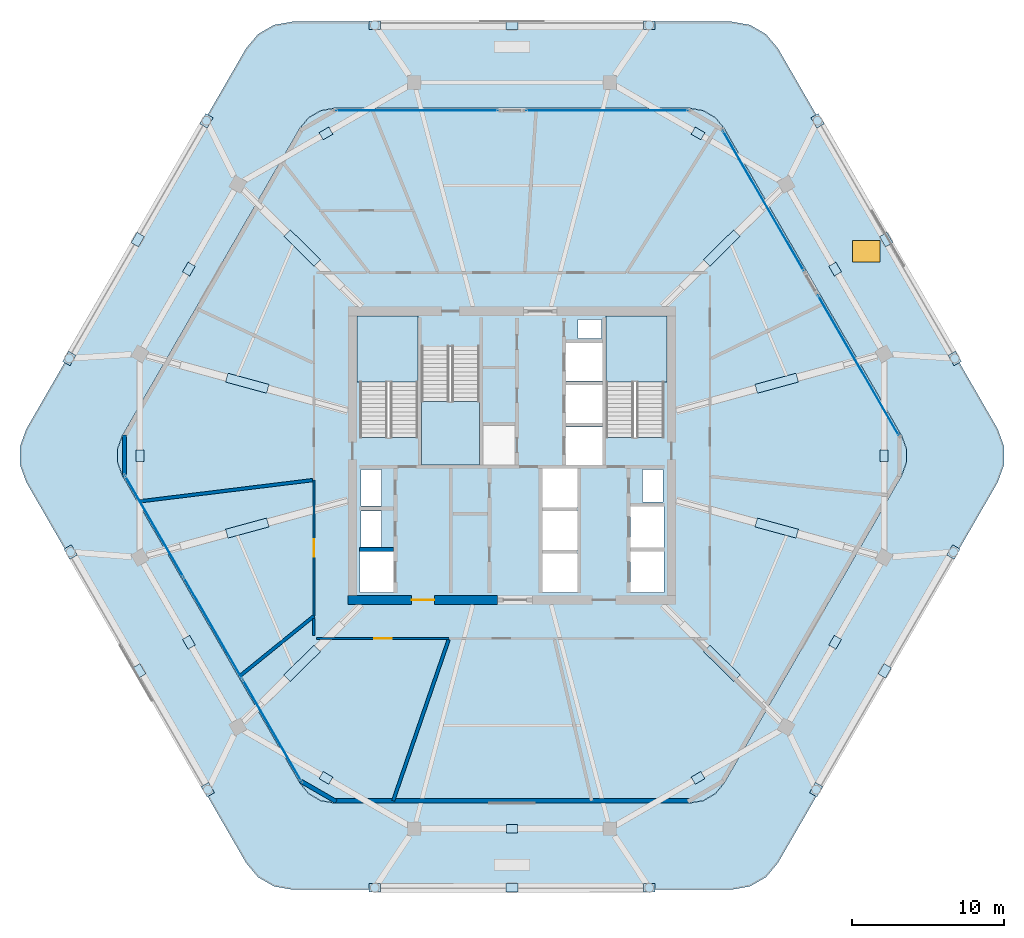
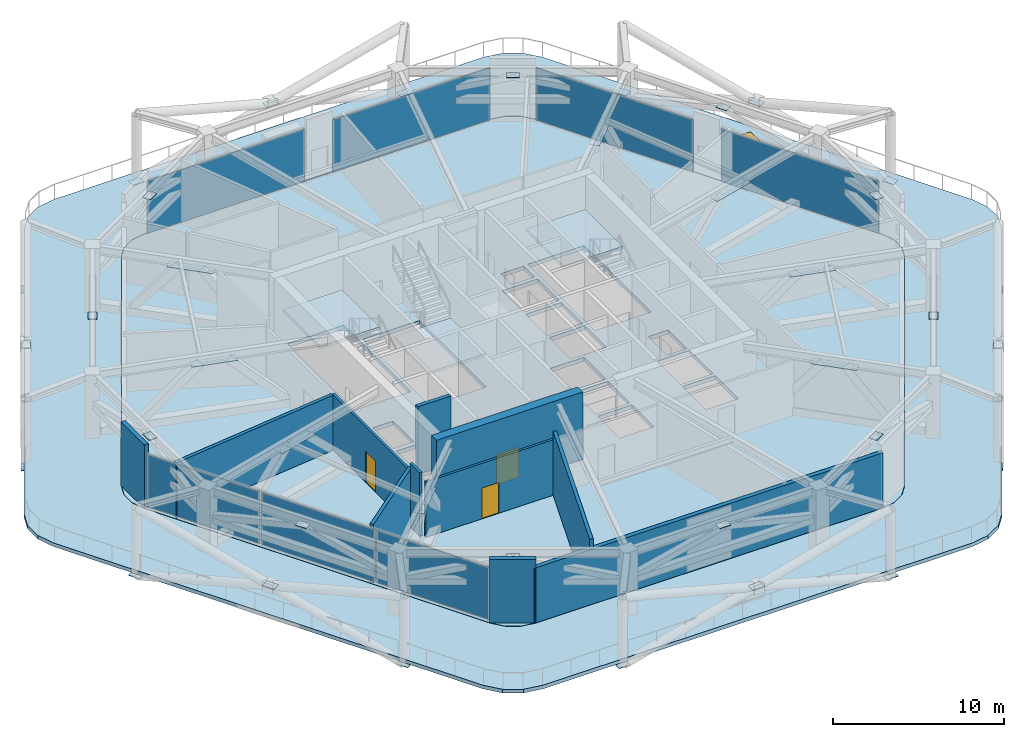
# One storey, part 12 of 20: 44 plates, 11 walls, 5 slabs, 3 doors, 1 window, 4 openings, 8 elements without a shape of their own.
"""IFC4 building model written with IfcOpenShell, lengths in metres."""

from ifc_helpers import new_model, si_unit, direction, frame, frame_2d, origin, origin_2d, place, context, subcontext, project, spatial, polyline, rectangle, outline, extrude, material, layer, layer_set, type_object, element, fill, aggregate, save


model = new_model("IFC4")

# Units and contexts
model_context = context("Model", 3, precision=1e-05, world=origin(), true_north=direction((0.0, 1.0)))
body_context = subcontext(model_context, "Body", "Model", "MODEL_VIEW")
ifc_project = project(units=[si_unit("LENGTHUNIT", "METRE"), si_unit("AREAUNIT", "SQUARE_METRE"), si_unit("VOLUMEUNIT", "CUBIC_METRE"), si_unit("PLANEANGLEUNIT", "RADIAN"), si_unit("MASSUNIT", "GRAM", prefix="KILO")], contexts=[model_context])

# Site, building, storey
site_placement = place(None, origin())
site = spatial("IfcSite", under=ifc_project, at=site_placement, CompositionType="ELEMENT")
building_placement = place(site_placement, origin())
building = spatial("IfcBuilding", under=site, at=building_placement, Name="Zuhravey Tower", CompositionType="ELEMENT")
storey_placement = place(building_placement, frame((0.0, 0.0, 226.39990234375)))
storey = spatial("IfcBuildingStorey", under=building, at=storey_placement, Name="L57", CompositionType="ELEMENT", Elevation=226.39990234375)

# Plates
ifc_material_1 = material(Name="Steel SM460", Category="steel")
ifc_layer_1 = layer(ifc_material_1, 0.031982421875)
ifc_layer_set_1 = layer_set([ifc_layer_1], Name="Steel SM460")
plate_type_1 = type_object("IfcPlateType", Name="Belt Truss Setback Node Plate ND7", PredefinedType="SHEET", material=ifc_layer_set_1)
for number, where, z_axis, x_axis, name in (
    (1, (57.263916015625, 44.27685546875, 3.93408203125), (0.0, 0.0, 1.0), (-0.5, 0.866025403784, 0.0), "L57 Belt Truss Apex Gusset ND7-01"),
    (2, (48.2421875, 53.2041015625, 3.93408203125), (0.0, 0.0, 1.0), (-0.866025403784, 0.5, 0.0), "L57 Belt Truss Apex Gusset ND7-02"),
    (3, (23.7578125, 53.2041015625, 3.93408203125), (0.0, 0.0, 1.0), (-0.866025403784, -0.5, 0.0), "L57 Belt Truss Apex Gusset ND7-03"),
    (4, (14.73583984375, 44.27685546875, 3.93408203125), (0.0, 0.0, 1.0), (-0.5, -0.866025403784, 0.0), "L57 Belt Truss Apex Gusset ND7-04"),
    (5, (11.515380859375, 32.0, 3.93408203125), (0.0, 0.0, 1.0), (0.0, -1.0, 0.0), "L57 Belt Truss Apex Gusset ND7-05"),
    (6, (14.73583984375, 19.72314453125, 3.93408203125), (0.0, 0.0, 1.0), (0.5, -0.866025403784, 0.0), "L57 Belt Truss Apex Gusset ND7-06"),
    (7, (23.7578125, 10.7958984375, 3.93408203125), (0.0, 0.0, 1.0), (0.866025403784, -0.5, 0.0), "L57 Belt Truss Apex Gusset ND7-07"),
    (8, (36.0, 7.4462890625, 3.93408203125), (0.0, 0.0, 1.0), (1.0, 0.0, 0.0), "L57 Belt Truss Apex Gusset ND7-08"),
    (9, (48.2421875, 10.7958984375, 3.93408203125), (0.0, 0.0, 1.0), (0.866025403784, 0.5, 0.0), "L57 Belt Truss Apex Gusset ND7-09"),
    (10, (57.263916015625, 19.72314453125, 3.93408203125), (0.0, 0.0, 1.0), (0.5, 0.866025403784, 0.0), "L57 Belt Truss Apex Gusset ND7-10"),
    (11, (60.484619140625, 32.0, 3.93408203125), (0.0, 0.0, 1.0), (0.0, 1.0, 0.0), "L57 Belt Truss Apex Gusset ND7-11"),
):
    element("IfcPlate", number, at=place(storey_placement, frame(where, z_axis=z_axis, x_axis=x_axis)), inside=storey, type_object=plate_type_1, Name=name, PredefinedType="SHEET", context=body_context, shape_type="SweptSolid", body=[
        extrude(rectangle(XDim=0.739990234375, YDim=0.5400390625, at=origin_2d()), origin(), (0.0, 0.0, 1.0), 0.031982421875),
    ])
ifc_layer_2 = layer(ifc_material_1, 0.031982421875)
ifc_layer_set_2 = layer_set([ifc_layer_2], Name="Steel SM460")
plate_type_2 = type_object("IfcPlateType", Name="Exoskeleton Zone 3 Node Plate ND3", PredefinedType="SHEET", material=ifc_layer_set_2)
for number, where, z_axis, x_axis, name in (
    (12, (65.134521484375, 38.39501953125, -0.509765625), (0.0, 0.0, 1.0), (-0.5, 0.866025403784, 0.0), "L57 Exoskeleton Node Gusset L57-01"),
    (13, (56.10546875, 54.03369140625, -0.509765625), (0.0, 0.0, 1.0), (-0.5, 0.866025403784, 0.0), "L57 Exoskeleton Node Gusset L57-02"),
    (14, (45.029052734375, 60.323486328125, -0.509765625), (0.0, 0.0, 1.0), (-1.0, 0.0, 0.0), "L57 Exoskeleton Node Gusset L57-03"),
    (15, (26.970947265625, 60.323486328125, -0.509765625), (0.0, 0.0, 1.0), (-1.0, 0.0, 0.0), "L57 Exoskeleton Node Gusset L57-04"),
    (16, (15.89453125, 54.03369140625, -0.509765625), (0.0, 0.0, 1.0), (-0.5, -0.866025403784, 0.0), "L57 Exoskeleton Node Gusset L57-05"),
    (17, (6.865478515625, 38.39501953125, -0.509765625), (0.0, 0.0, 1.0), (-0.5, -0.866025403784, 0.0), "L57 Exoskeleton Node Gusset L57-06"),
    (18, (6.95654296875, 25.657470703125, -0.509765625), (0.0, 0.0, 1.0), (0.5, -0.866025403784, 0.0), "L57 Exoskeleton Node Gusset L57-07"),
    (19, (15.985595703125, 10.018798828125, -0.509765625), (0.0, 0.0, 1.0), (0.5, -0.866025403784, 0.0), "L57 Exoskeleton Node Gusset L57-08"),
    (20, (26.970947265625, 3.5712890625, -0.509765625), (0.0, 0.0, 1.0), (1.0, 0.0, 0.0), "L57 Exoskeleton Node Gusset L57-09"),
    (21, (45.029052734375, 3.5712890625, -0.509765625), (0.0, 0.0, 1.0), (1.0, 0.0, 0.0), "L57 Exoskeleton Node Gusset L57-10"),
    (22, (56.014404296875, 10.018798828125, -0.509765625), (0.0, 0.0, 1.0), (0.5, 0.866025403784, 0.0), "L57 Exoskeleton Node Gusset L57-11"),
    (23, (65.04345703125, 25.657470703125, -0.509765625), (0.0, 0.0, 1.0), (0.5, 0.866025403784, 0.0), "L57 Exoskeleton Node Gusset L57-12"),
    (24, (60.62646484375, 46.218017578125, 1.9052734375), (0.0, 0.0, 1.0), (-0.5, 0.866025403784, 0.0), "L57 Face 1 Diagrid X-Crossing Plate"),
    (25, (36.0, 60.323486328125, 1.9052734375), (0.0, 0.0, 1.0), (-1.0, 0.0, 0.0), "L57 Face 2 Diagrid X-Crossing Plate"),
    (26, (11.37353515625, 46.218017578125, 1.9052734375), (0.0, 0.0, 1.0), (-0.5, -0.866025403784, 0.0), "L57 Face 3 Diagrid X-Crossing Plate"),
    (27, (11.470947265625, 17.838134765625, 1.9052734375), (0.0, 0.0, 1.0), (0.5, -0.866025403784, 0.0), "L57 Face 4 Diagrid X-Crossing Plate"),
    (28, (36.0, 3.56396484375, 1.9052734375), (0.0, 0.0, 1.0), (1.0, 0.0, 0.0), "L57 Face 5 Diagrid X-Crossing Plate"),
    (29, (60.529052734375, 17.838134765625, 1.9052734375), (0.0, 0.0, 1.0), (0.5, 0.866025403784, 0.0), "L57 Face 6 Diagrid X-Crossing Plate"),
):
    element("IfcPlate", number, at=place(storey_placement, frame(where, z_axis=z_axis, x_axis=x_axis)), inside=storey, type_object=plate_type_2, Name=name, PredefinedType="SHEET", context=body_context, shape_type="SweptSolid", body=[
        extrude(rectangle(XDim=0.780029296875, YDim=0.56005859375, at=origin_2d()), origin(), (0.0, 0.0, 1.0), 0.031982421875),
    ])
ifc_layer_3 = layer(ifc_material_1, 0.035888671875)
ifc_layer_set_3 = layer_set([ifc_layer_3], Name="Steel SM460")
plate_type_3 = type_object("IfcPlateType", Name="Outrigger Core Node Plate ND6", PredefinedType="SHEET", material=ifc_layer_set_3)
for number, where, z_axis, x_axis, name in (
    (30, (53.41943359375, 36.765869140625, 3.91357421875), (0.0, 0.0, 1.0), (0.964557418458, 0.263873049965, 0.0), "L57 Outrigger Apex Node Plate ND6-01M"),
    (31, (49.809814453125, 45.665283203125, 3.91357421875), (0.0, 0.0, 1.0), (0.710799473873, 0.703394702811, 0.0), "L57 Outrigger Apex Node Plate ND6-02M"),
    (32, (22.190185546875, 45.665283203125, 3.91357421875), (0.0, 0.0, 1.0), (-0.710799473873, 0.703394702811, 0.0), "L57 Outrigger Apex Node Plate ND6-03M"),
    (33, (18.58056640625, 36.765869140625, 3.91357421875), (0.0, 0.0, 1.0), (-0.964557418458, 0.263873049965, 0.0), "L57 Outrigger Apex Node Plate ND6-04M"),
    (34, (18.58056640625, 27.234130859375, 3.91357421875), (0.0, 0.0, 1.0), (-0.964557418458, -0.263873049965, 0.0), "L57 Outrigger Apex Node Plate ND6-05M"),
    (35, (22.190185546875, 18.334716796875, 3.91357421875), (0.0, 0.0, 1.0), (-0.710799473873, -0.703394702811, 0.0), "L57 Outrigger Apex Node Plate ND6-06M"),
    (36, (49.809814453125, 18.334716796875, 3.91357421875), (0.0, 0.0, 1.0), (0.710799473873, -0.703394702811, 0.0), "L57 Outrigger Apex Node Plate ND6-07M"),
    (37, (53.41943359375, 27.234130859375, 3.91357421875), (0.0, 0.0, 1.0), (0.964557418458, -0.263873049965, 0.0), "L57 Outrigger Apex Node Plate ND6-08M"),
):
    element("IfcPlate", number, at=place(storey_placement, frame(where, z_axis=z_axis, x_axis=x_axis)), inside=storey, type_object=plate_type_3, Name=name, PredefinedType="SHEET", context=body_context, shape_type="SweptSolid", body=[
        extrude(rectangle(XDim=2.800048828125, YDim=0.60009765625, at=origin_2d()), origin(), (0.0, 0.0, 1.0), 0.035888671875),
    ])

# Slab
ifc_material_2 = material(Name="Concrete C50/60", Category="concrete")
ifc_layer_4 = layer(ifc_material_2, 0.280029296875)
ifc_layer_set_4 = layer_set([ifc_layer_4], Name="Concrete C50/60")
slab_type_1 = type_object("IfcSlabType", Name="School Composite Floor Slab 280", PredefinedType="FLOOR", material=ifc_layer_set_4)
slab_1_placement = place(storey_placement, frame((0.0, 0.0, -0.27978515625)))
element("IfcSlab", 38, at=slab_1_placement, inside=storey, type_object=slab_type_1, Name="L57 Floor Slab FS28", PredefinedType="FLOOR", context=body_context, shape_type="SweptSolid", body=[
    extrude(outline(polyline([(61.638427734375, 30.699951171875), (61.947509765625, 31.548583984375), (61.947509765625, 32.451416015625), (61.638427734375, 33.300048828125), (49.945068359375, 53.5537109375), (49.36474609375, 54.245361328125), (48.582763671875, 54.69677734375), (47.693359375, 54.853515625), (24.306640625, 54.853515625), (23.417236328125, 54.69677734375), (22.63525390625, 54.245361328125), (22.054931640625, 53.5537109375), (10.361572265625, 33.300048828125), (10.052490234375, 32.451416015625), (10.052490234375, 31.548583984375), (10.361572265625, 30.699951171875), (22.054931640625, 10.4462890625), (22.63525390625, 9.754638671875), (23.417236328125, 9.30322265625), (24.306640625, 9.146484375), (47.693359375, 9.146484375), (48.582763671875, 9.30322265625), (49.36474609375, 9.754638671875), (49.945068359375, 10.4462890625), (61.638427734375, 30.699951171875)]), holes=[polyline([(29.800048828125, 33.20068359375), (29.800048828125, 41.0), (26.0, 41.0), (26.0, 33.20068359375), (29.800048828125, 33.20068359375)]), polyline([(46.0, 33.20068359375), (46.0, 41.0), (42.199951171875, 41.0), (42.199951171875, 33.20068359375), (46.0, 33.20068359375)]), polyline([(30.050048828125, 39.199462890625), (30.050048828125, 31.39990234375), (33.85009765625, 31.39990234375), (33.85009765625, 39.199462890625), (30.050048828125, 39.199462890625)]), polyline([(38.0, 23.0), (40.300048828125, 23.0), (40.300048828125, 25.550048828125), (38.0, 25.550048828125), (38.0, 23.0)]), polyline([(38.0, 25.800048828125), (40.300048828125, 25.800048828125), (40.300048828125, 28.35009765625), (38.0, 28.35009765625), (38.0, 25.800048828125)]), polyline([(38.0, 28.60009765625), (40.300048828125, 28.60009765625), (40.300048828125, 31.14990234375), (38.0, 31.14990234375), (38.0, 28.60009765625)]), polyline([(39.550048828125, 31.39990234375), (41.949951171875, 31.39990234375), (41.949951171875, 33.89990234375), (39.550048828125, 33.89990234375), (39.550048828125, 31.39990234375)]), polyline([(39.550048828125, 34.14990234375), (41.949951171875, 34.14990234375), (41.949951171875, 36.64990234375), (39.550048828125, 36.64990234375), (39.550048828125, 34.14990234375)]), polyline([(39.550048828125, 36.89990234375), (41.949951171875, 36.89990234375), (41.949951171875, 39.39990234375), (39.550048828125, 39.39990234375), (39.550048828125, 36.89990234375)]), polyline([(26.0, 23.0), (28.199951171875, 23.0), (28.199951171875, 25.699951171875), (26.0, 25.699951171875), (26.0, 23.0)]), polyline([(43.800048828125, 23.0), (46.0, 23.0), (46.0, 25.699951171875), (43.800048828125, 25.699951171875), (43.800048828125, 23.0)]), polyline([(43.800048828125, 25.949951171875), (46.0, 25.949951171875), (46.0, 28.64990234375), (43.800048828125, 28.64990234375), (43.800048828125, 25.949951171875)]), polyline([(26.050048828125, 26.0), (27.39990234375, 26.0), (27.39990234375, 28.35009765625), (26.050048828125, 28.35009765625), (26.050048828125, 26.0)]), polyline([(26.050048828125, 28.699951171875), (27.39990234375, 28.699951171875), (27.39990234375, 31.10009765625), (26.050048828125, 31.10009765625), (26.050048828125, 28.699951171875)]), polyline([(44.60009765625, 28.949951171875), (45.949951171875, 28.949951171875), (45.949951171875, 31.10009765625), (44.60009765625, 31.10009765625), (44.60009765625, 28.949951171875)]), polyline([(40.35009765625, 39.699951171875), (41.89990234375, 39.699951171875), (41.89990234375, 40.949951171875), (40.35009765625, 40.949951171875), (40.35009765625, 39.699951171875)])]), origin(), (0.0, 0.0, 1.0), 0.27978515625),
])

# Slab, opening, window
ifc_layer_5 = layer(ifc_material_2, 0.260009765625)
ifc_layer_set_5 = layer_set([ifc_layer_5], Name="Concrete C50/60")
slab_type_2 = type_object("IfcSlabType", Name="Sky-Playground & Garden Tray Slab 260", PredefinedType="FLOOR", material=ifc_layer_set_5)
slab_2_placement = place(storey_placement, frame((0.0, 0.0, -0.260009765625)))
slab_2 = element("IfcSlab", 39, at=slab_2_placement, inside=storey, type_object=slab_type_2, Name="L57 Sky-Garden Perimeter Tray GT26", PredefinedType="FLOOR", context=body_context, shape_type="SweptSolid", body=[
    extrude(outline(polyline([(67.96044921875, 30.25), (68.376220703125, 31.39208984375), (68.376220703125, 32.60791015625), (67.96044921875, 33.75), (53.495849609375, 58.8037109375), (52.714599609375, 59.73486328125), (51.661865234375, 60.342529296875), (50.464599609375, 60.5537109375), (21.535400390625, 60.5537109375), (20.338134765625, 60.342529296875), (19.285400390625, 59.73486328125), (18.504150390625, 58.8037109375), (4.03955078125, 33.75), (3.623779296875, 32.60791015625), (3.623779296875, 31.39208984375), (4.03955078125, 30.25), (18.504150390625, 5.1962890625), (19.285400390625, 4.26513671875), (20.338134765625, 3.657470703125), (21.535400390625, 3.4462890625), (50.464599609375, 3.4462890625), (51.661865234375, 3.657470703125), (52.714599609375, 4.26513671875), (53.495849609375, 5.1962890625), (67.96044921875, 30.25)]), holes=[polyline([(61.653564453125, 30.699951171875), (61.96240234375, 31.548583984375), (61.96240234375, 32.451416015625), (61.653564453125, 33.300048828125), (49.95263671875, 53.566650390625), (49.372314453125, 54.25830078125), (48.590087890625, 54.709716796875), (47.700927734375, 54.86669921875), (24.299072265625, 54.86669921875), (23.409912109375, 54.709716796875), (22.627685546875, 54.25830078125), (22.04736328125, 53.566650390625), (10.346435546875, 33.300048828125), (10.03759765625, 32.451416015625), (10.03759765625, 31.548583984375), (10.346435546875, 30.699951171875), (22.04736328125, 10.433349609375), (22.627685546875, 9.74169921875), (23.409912109375, 9.290283203125), (24.299072265625, 9.13330078125), (47.700927734375, 9.13330078125), (48.590087890625, 9.290283203125), (49.372314453125, 9.74169921875), (49.95263671875, 10.433349609375), (61.653564453125, 30.699951171875)])]), origin(), (0.0, 0.0, 1.0), 0.260009765625),
])
opening_1_placement = place(slab_2_placement, frame((59.31005859375, 45.4580078125, 0.0)))
opening_1 = element("IfcOpeningElement", 40, at=opening_1_placement, cuts=slab_2, Name="Opening RL1", PredefinedType="OPENING", context=body_context, shape_type="SweptSolid", body=[
    extrude(rectangle(XDim=1.800048828125, YDim=1.39990234375, at=origin_2d()), origin(), (0.0, 0.0, 1.0), 0.260009765625),
])
ifc_material_3 = material(Name="Thermally broken aluminium and laminated safety glass", Category="aluminium")
window_type = type_object("IfcWindowType", Name="Play-Deck Daylight Rooflight 1800x2200", PartitioningType="SINGLE_PANEL", PredefinedType="SKYLIGHT", material=ifc_material_3)
window_placement = place(opening_1_placement, frame((0.0, 0.0, 0.2099609375)))
window = element("IfcWindow", 41, at=window_placement, inside=storey, type_object=window_type, Name="L57 Play-Deck Daylight Rooflight RL1-1", OverallHeight=1.39990234375, OverallWidth=1.800048828125, PartitioningType="SINGLE_PANEL", PredefinedType="SKYLIGHT", context=body_context, shape_type="SweptSolid", body=[
    extrude(rectangle(XDim=1.800048828125, YDim=1.39990234375, at=origin_2d()), origin(), (0.0, 0.0, 1.0), 0.050048828125),
])
fill(opening_1, window)

# Stair, slab
ifc_material_4 = material(Name="Concrete C40/50", Category="concrete")
stair_type = type_object("IfcStairType", Name="Refuge Storey Stair Assembly 4800", PredefinedType="HALF_TURN_STAIR", material=ifc_material_4)
stair_1_placement = place(storey_placement, origin())
stair_1 = element("IfcStair", 42, at=stair_1_placement, inside=storey, type_object=stair_type, Name="L57 Core Exit Stair ST1", PredefinedType="HALF_TURN_STAIR")
ifc_layer_6 = layer(ifc_material_4, 0.199951171875)
ifc_layer_set_6 = layer_set([ifc_layer_6], Name="Concrete C40/50")
slab_type_3 = type_object("IfcSlabType", Name="Stair Landing Slab 200", PredefinedType="LANDING", material=ifc_layer_set_6)
slab_3_placement = place(storey_placement, frame((0.0, 0.0, 2.2001953125)))
slab_3 = element("IfcSlab", 43, at=slab_3_placement, type_object=slab_type_3, Name="ST1 landing 1", PredefinedType="LANDING", context=body_context, shape_type="SweptSolid", body=[
    extrude(outline(polyline([(29.800048828125, 36.840087890625), (29.800048828125, 41.197998046875), (25.802001953125, 41.197998046875), (25.802001953125, 36.840087890625), (29.800048828125, 36.840087890625)])), origin(), (0.0, 0.0, 1.0), 0.199951171875),
])
aggregate(stair_1, [slab_3])

stair_2_placement = place(storey_placement, origin())
stair_2 = element("IfcStair", 44, at=stair_2_placement, inside=storey, type_object=stair_type, Name="L57 Core Exit Stair ST2", PredefinedType="HALF_TURN_STAIR")
slab_4_placement = place(storey_placement, frame((0.0, 0.0, 2.2001953125)))
slab_4 = element("IfcSlab", 45, at=slab_4_placement, type_object=slab_type_3, Name="ST2 landing 1", PredefinedType="LANDING", context=body_context, shape_type="SweptSolid", body=[
    extrude(outline(polyline([(46.197998046875, 36.840087890625), (46.197998046875, 41.197998046875), (42.199951171875, 41.197998046875), (42.199951171875, 36.840087890625), (46.197998046875, 36.840087890625)])), origin(), (0.0, 0.0, 1.0), 0.199951171875),
])
aggregate(stair_2, [slab_4])

stair_3_placement = place(storey_placement, origin())
stair_3 = element("IfcStair", 46, at=stair_3_placement, inside=storey, type_object=stair_type, Name="L57 Core Exit Stair ST3", PredefinedType="HALF_TURN_STAIR")
slab_5_placement = place(storey_placement, frame((0.0, 0.0, 2.2001953125)))
slab_5 = element("IfcSlab", 47, at=slab_5_placement, type_object=slab_type_3, Name="ST3 landing 1", PredefinedType="LANDING", context=body_context, shape_type="SweptSolid", body=[
    extrude(outline(polyline([(30.050048828125, 35.56005859375), (30.050048828125, 31.39990234375), (33.85009765625, 31.39990234375), (33.85009765625, 35.56005859375), (30.050048828125, 35.56005859375)])), origin(), (0.0, 0.0, 1.0), 0.199951171875),
])
aggregate(stair_3, [slab_5])

# Curtain wall, plates
ifc_material_5 = material(Name="Thermally broken anodised aluminium", Category="aluminium")
curtain_wall_type = type_object("IfcCurtainWallType", Name="Sky-Garden Tray Clerestory Curtain Wall CW5", PredefinedType="NOTDEFINED", material=ifc_material_5)
curtain_wall_1_placement = place(storey_placement, origin())
curtain_wall_1 = element("IfcCurtainWall", 48, at=curtain_wall_1_placement, inside=storey, type_object=curtain_wall_type, Name="L57 CW5 CW-L57-F4-1", PredefinedType="NOTDEFINED")
ifc_material_6 = material(Name="Triple low-E insulated vision glass", Category="glass")
ifc_layer_7 = layer(ifc_material_6, 0.0419921875)
ifc_layer_set_7 = layer_set([ifc_layer_7], Name="Triple low-E insulated vision glass")
plate_type_4 = type_object("IfcPlateType", Name="Triple Low-E Vision Panel", PredefinedType="CURTAIN_PANEL", material=ifc_layer_set_7)
plate_1_placement = place(storey_placement, frame((20.2021484375, 13.935302734375, 0.10009765625), z_axis=(0.0, 0.0, 1.0), x_axis=(-0.500000204476, 0.86602528573, 0.0)))
plate_1 = element("IfcPlate", 49, at=plate_1_placement, type_object=plate_type_4, Name="CW5 panel 1.1", PredefinedType="CURTAIN_PANEL", context=body_context, shape_type="SweptSolid", body=[
    extrude(rectangle(XDim=7.62060546875, YDim=0.0419921875, at=origin_2d()), origin(), (0.0, 0.0, 1.0), 3.72998046875),
])
plate_2_placement = place(storey_placement, frame((16.329345703125, 20.643310546875, 0.10009765625), z_axis=(0.0, 0.0, 1.0), x_axis=(-0.500000204476, 0.86602528573, 0.0)))
plate_2 = element("IfcPlate", 50, at=plate_2_placement, type_object=plate_type_4, Name="CW5 panel 2.1", PredefinedType="CURTAIN_PANEL", context=body_context, shape_type="SweptSolid", body=[
    extrude(rectangle(XDim=7.670654296875, YDim=0.0419921875, at=origin_2d()), origin(), (0.0, 0.0, 1.0), 3.72998046875),
])
plate_3_placement = place(storey_placement, frame((12.45654296875, 27.35107421875, 0.10009765625), z_axis=(0.0, 0.0, 1.0), x_axis=(-0.500000204476, 0.86602528573, 0.0)))
plate_3 = element("IfcPlate", 51, at=plate_3_placement, type_object=plate_type_4, Name="CW5 panel 3.1", PredefinedType="CURTAIN_PANEL", context=body_context, shape_type="SweptSolid", body=[
    extrude(rectangle(XDim=7.62060546875, YDim=0.0419921875, at=origin_2d()), origin(), (0.0, 0.0, 1.0), 3.72998046875),
])
aggregate(curtain_wall_1, [plate_1, plate_2, plate_3])

# Curtain wall, plate
curtain_wall_2_placement = place(storey_placement, origin())
curtain_wall_2 = element("IfcCurtainWall", 52, at=curtain_wall_2_placement, inside=storey, type_object=curtain_wall_type, Name="L57 CW5 CW-L57-F2-1", PredefinedType="NOTDEFINED")
plate_4_placement = place(storey_placement, frame((29.7470703125, 54.713623046875, 0.10009765625), z_axis=(0.0, 0.0, 1.0), x_axis=(1.0, 0.0, 0.0)))
plate_4 = element("IfcPlate", 53, at=plate_4_placement, type_object=plate_type_4, Name="CW5 panel 1.1", PredefinedType="CURTAIN_PANEL", context=body_context, shape_type="SweptSolid", body=[
    extrude(rectangle(XDim=10.60595703125, YDim=0.0419921875, at=origin_2d()), origin(), (0.0, 0.0, 1.0), 3.72998046875),
])
aggregate(curtain_wall_2, [plate_4])

curtain_wall_3_placement = place(storey_placement, origin())
curtain_wall_3 = element("IfcCurtainWall", 54, at=curtain_wall_3_placement, inside=storey, type_object=curtain_wall_type, Name="L57 CW5 CW-L57-F2-2", PredefinedType="NOTDEFINED")
plate_5_placement = place(storey_placement, frame((42.2529296875, 54.713623046875, 0.10009765625), z_axis=(0.0, 0.0, 1.0), x_axis=(1.0, 0.0, 0.0)))
plate_5 = element("IfcPlate", 55, at=plate_5_placement, type_object=plate_type_4, Name="CW5 panel 1.1", PredefinedType="CURTAIN_PANEL", context=body_context, shape_type="SweptSolid", body=[
    extrude(rectangle(XDim=10.60595703125, YDim=0.0419921875, at=origin_2d()), origin(), (0.0, 0.0, 1.0), 3.72998046875),
])
aggregate(curtain_wall_3, [plate_5])

curtain_wall_4_placement = place(storey_placement, origin())
curtain_wall_4 = element("IfcCurtainWall", 56, at=curtain_wall_4_placement, inside=storey, type_object=curtain_wall_type, Name="L57 CW5 CW-L57-F1-1", PredefinedType="NOTDEFINED")
plate_6_placement = place(storey_placement, frame((52.544189453125, 48.77197265625, 0.10009765625), z_axis=(0.0, 0.0, 1.0), x_axis=(0.500002825594, -0.866023772421, 0.0)))
plate_6 = element("IfcPlate", 57, at=plate_6_placement, type_object=plate_type_4, Name="CW5 panel 1.1", PredefinedType="CURTAIN_PANEL", context=body_context, shape_type="SweptSolid", body=[
    extrude(rectangle(XDim=10.60595703125, YDim=0.0419921875, at=origin_2d()), origin(), (0.0, 0.0, 1.0), 3.72998046875),
])
aggregate(curtain_wall_4, [plate_6])

curtain_wall_5_placement = place(storey_placement, origin())
curtain_wall_5 = element("IfcCurtainWall", 58, at=curtain_wall_5_placement, inside=storey, type_object=curtain_wall_type, Name="L57 CW5 CW-L57-F1-2", PredefinedType="NOTDEFINED")
plate_7_placement = place(storey_placement, frame((58.797119140625, 37.941650390625, 0.10009765625), z_axis=(0.0, 0.0, 1.0), x_axis=(0.499995884937, -0.866027779604, 0.0)))
plate_7 = element("IfcPlate", 59, at=plate_7_placement, type_object=plate_type_4, Name="CW5 panel 1.1", PredefinedType="CURTAIN_PANEL", context=body_context, shape_type="SweptSolid", body=[
    extrude(rectangle(XDim=10.60595703125, YDim=0.0419921875, at=origin_2d()), origin(), (0.0, 0.0, 1.0), 3.72998046875),
])
aggregate(curtain_wall_5, [plate_7])

# Wall, opening, door
ifc_layer_8 = layer(ifc_material_2, 0.60009765625)
ifc_layer_set_8 = layer_set([ifc_layer_8], Name="Concrete C50/60")
wall_type_1 = type_object("IfcWallType", Name="Core Shear Wall 600", PredefinedType="SHEAR", material=ifc_layer_set_8)
wall_1_placement = place(storey_placement, frame((25.199951171875, 22.5, 0.0), z_axis=(0.0, 0.0, 1.0), x_axis=(1.0, 0.0, 0.0)))
wall_1 = element("IfcWall", 60, at=wall_1_placement, inside=storey, type_object=wall_type_1, Name="L57 South-West Core Shear Wall CW60", PredefinedType="SHEAR", context=body_context, shape_type="SweptSolid", body=[
    extrude(rectangle(XDim=9.85009765625, YDim=0.60009765625, at=frame_2d((4.925048828125, 0.0))), origin(), (0.0, 0.0, 1.0), 4.800048828125),
])
opening_2_placement = place(wall_1_placement, frame((4.199951171875, 0.0, 0.0)))
opening_2 = element("IfcOpeningElement", 61, at=opening_2_placement, cuts=wall_1, Name="Opening FFD1", PredefinedType="OPENING", context=body_context, shape_type="SweptSolid", body=[
    extrude(rectangle(XDim=1.5, YDim=2.14990234375, at=frame_2d((0.75, 1.074951171875))), frame((0.0, 0.31201171875, 0.0), z_axis=(0.0, -1.0, 0.0), x_axis=(1.0, 0.0, 0.0)), (0.0, 0.0, 1.0), 0.6240234375),
])
ifc_material_7 = material(Name="Galvanised fire-rated steel leaf", Category="steel")
door_type_1 = type_object("IfcDoorType", Name="Firefighting Lobby Double Door 1500x2150", OperationType="DOUBLE_DOOR_SINGLE_SWING", PredefinedType="DOOR", material=ifc_material_7)
door_1_placement = place(opening_2_placement, origin())
door_1 = element("IfcDoor", 62, at=door_1_placement, inside=storey, type_object=door_type_1, Name="L57 Firefighting Lobby West Door", OperationType="DOUBLE_DOOR_SINGLE_SWING", OverallHeight=2.14990234375, OverallWidth=1.5, PredefinedType="DOOR", context=body_context, shape_type="SweptSolid", body=[
    extrude(rectangle(XDim=1.5, YDim=2.14990234375, at=frame_2d((0.75, 1.074951171875))), frame((0.0, 0.02490234375, 0.0), z_axis=(0.0, -1.0, 0.0), x_axis=(1.0, 0.0, 0.0)), (0.0, 0.0, 1.0), 0.050048828125),
])
fill(opening_2, door_1)

ifc_material_8 = material(Name="Gypsum fire-rated stud partition")
ifc_layer_9 = layer(ifc_material_8, 0.159912109375)
ifc_layer_set_9 = layer_set([ifc_layer_9], Name="Gypsum fire-rated stud partition")
wall_type_2 = type_object("IfcWallType", Name="Corridor Fire Partition 160", PredefinedType="PARTITIONING", material=ifc_layer_set_9)
wall_2_placement = place(storey_placement, frame((22.969970703125, 30.400146484375, 0.0), z_axis=(0.0, 0.0, 1.0), x_axis=(0.0, -1.0, 0.0)))
wall_2 = element("IfcWall", 63, at=wall_2_placement, inside=storey, type_object=wall_type_2, Name="L57 IW16 Partition 025", PredefinedType="PARTITIONING", context=body_context, shape_type="SweptSolid", body=[
    extrude(rectangle(XDim=8.95166015625, YDim=0.159912109375, at=frame_2d((4.475830078125, 0.0))), origin(), (0.0, 0.0, 1.0), 3.9501953125),
])
opening_3_placement = place(wall_2_placement, frame((3.90087890625, 0.0, 0.0)))
opening_3 = element("IfcOpeningElement", 64, at=opening_3_placement, cuts=wall_2, Name="Opening CLD1", PredefinedType="OPENING", context=body_context, shape_type="SweptSolid", body=[
    extrude(rectangle(XDim=1.14990234375, YDim=2.199951171875, at=frame_2d((0.574951171875, 1.10009765625))), frame((0.0, 0.092041015625, 0.0), z_axis=(0.0, -1.0, 0.0), x_axis=(1.0, 0.0, 0.0)), (0.0, 0.0, 1.0), 0.183837890625),
])
ifc_material_9 = material(Name="Acoustic timber leaf with vision lite", Category="wood")
door_type_2 = type_object("IfcDoorType", Name="Classroom Acoustic Door 1150x2200", OperationType="NOTDEFINED", PredefinedType="DOOR", material=ifc_material_9)
door_2_placement = place(opening_3_placement, frame((1.14990234375, 0.0, 0.0), z_axis=(0.0, 0.0, 1.0), x_axis=(-1.0, 0.0, 0.0)))
door_2 = element("IfcDoor", 65, at=door_2_placement, inside=storey, type_object=door_type_2, Name="L57 Door 025.1", OperationType="SINGLE_SWING_RIGHT", OverallHeight=2.199951171875, OverallWidth=1.14990234375, PredefinedType="DOOR", context=body_context, shape_type="SweptSolid", body=[
    extrude(rectangle(XDim=1.14990234375, YDim=2.199951171875, at=frame_2d((0.574951171875, 1.10009765625))), frame((0.0, 0.02490234375, 0.0), z_axis=(0.0, -1.0, 0.0), x_axis=(1.0, 0.0, 0.0)), (0.0, 0.0, 1.0), 0.050048828125),
])
fill(opening_3, door_2)

wall_3_placement = place(storey_placement, frame((23.14990234375, 19.969970703125, 0.0), z_axis=(0.0, 0.0, 1.0), x_axis=(1.0, 0.0, 0.0)))
wall_3 = element("IfcWall", 66, at=wall_3_placement, inside=storey, type_object=wall_type_2, Name="L57 IW16 Partition 026", PredefinedType="PARTITIONING", context=body_context, shape_type="SweptSolid", body=[
    extrude(rectangle(XDim=8.707763671875, YDim=0.159912109375, at=frame_2d((4.35400390625, 0.0))), origin(), (0.0, 0.0, 1.0), 3.9501953125),
])
opening_4_placement = place(wall_3_placement, frame((3.77880859375, 0.0, 0.0)))
opening_4 = element("IfcOpeningElement", 67, at=opening_4_placement, cuts=wall_3, Name="Opening CLD1", PredefinedType="OPENING", context=body_context, shape_type="SweptSolid", body=[
    extrude(rectangle(XDim=1.14990234375, YDim=2.199951171875, at=frame_2d((0.574951171875, 1.10009765625))), frame((0.0, 0.092041015625, 0.0), z_axis=(0.0, -1.0, 0.0), x_axis=(1.0, 0.0, 0.0)), (0.0, 0.0, 1.0), 0.183837890625),
])
door_3_placement = place(opening_4_placement, frame((1.14990234375, 0.0, 0.0), z_axis=(0.0, 0.0, 1.0), x_axis=(-1.0, 0.0, 0.0)))
door_3 = element("IfcDoor", 68, at=door_3_placement, inside=storey, type_object=door_type_2, Name="L57 Door 026.1", OperationType="SINGLE_SWING_LEFT", OverallHeight=2.199951171875, OverallWidth=1.14990234375, PredefinedType="DOOR", context=body_context, shape_type="SweptSolid", body=[
    extrude(rectangle(XDim=1.14990234375, YDim=2.199951171875, at=frame_2d((0.574951171875, 1.10009765625))), frame((0.0, 0.02490234375, 0.0), z_axis=(0.0, -1.0, 0.0), x_axis=(1.0, 0.0, 0.0)), (0.0, 0.0, 1.0), 0.050048828125),
])
fill(opening_4, door_3)

# Walls
wall_4_placement = place(storey_placement, frame((22.949951171875, 21.280517578125, 0.0), z_axis=(0.0, 0.0, 1.0), x_axis=(0.0, -1.0, 0.0)))
element("IfcWall", 69, at=wall_4_placement, inside=storey, type_object=wall_type_2, Name="L57 IW16 Partition 055", PredefinedType="PARTITIONING", context=body_context, shape_type="SweptSolid", body=[
    extrude(rectangle(XDim=1.130615234375, YDim=0.159912109375, at=frame_2d((0.5654296875, 0.0))), origin(), (0.0, 0.0, 1.0), 4.550048828125),
])
ifc_material_10 = material(Name="Precast concrete C40/50", Category="concrete")
ifc_layer_10 = layer(ifc_material_10, 0.280029296875)
ifc_layer_set_10 = layer_set([ifc_layer_10], Name="Precast concrete C40/50")
wall_type_3 = type_object("IfcWallType", Name="Crown Architectural Wall 280", PredefinedType="SOLIDWALL", material=ifc_layer_set_10)
wall_5_placement = place(storey_placement, frame((47.7509765625, 9.286376953125, 0.0), z_axis=(0.0, 0.0, 1.0), x_axis=(-1.0, 0.0, 0.0)))
element("IfcWall", 70, at=wall_5_placement, inside=storey, type_object=wall_type_3, Name="L57 Face 5 Plant Enclosure Wall EW28", PredefinedType="SOLIDWALL", context=body_context, shape_type="SweptSolid", body=[
    extrude(rectangle(XDim=23.501953125, YDim=0.280029296875, at=frame_2d((11.7509765625, 0.0))), origin(), (0.0, 0.0, 1.0), 3.93017578125),
])
wall_6_placement = place(storey_placement, frame((24.426513671875, 9.239013671875, 0.0), z_axis=(0.0, 0.0, 1.0), x_axis=(-0.866043331744, 0.499968946578, 0.0)))
element("IfcWall", 71, at=wall_6_placement, inside=storey, type_object=wall_type_3, Name="L57 Rounded Corner Closure Wall EW28-04", PredefinedType="SOLIDWALL", context=body_context, shape_type="SweptSolid", body=[
    extrude(rectangle(XDim=2.715087890625, YDim=0.280029296875, at=frame_2d((1.357421875, 0.0))), origin(), (0.0, 0.0, 1.0), 4.550048828125),
])
wall_7_placement = place(storey_placement, frame((10.50146484375, 30.642578125, 0.0), z_axis=(0.0, 0.0, 1.0), x_axis=(0.0, 1.0, 0.0)))
element("IfcWall", 72, at=wall_7_placement, inside=storey, type_object=wall_type_3, Name="L57 Rounded Corner Closure Wall EW28-06", PredefinedType="SOLIDWALL", context=body_context, shape_type="SweptSolid", body=[
    extrude(rectangle(XDim=2.71484375, YDim=0.280029296875, at=frame_2d((1.357421875, 0.0))), origin(), (0.0, 0.0, 1.0), 4.550048828125),
])
ifc_layer_11 = layer(ifc_material_2, 0.25)
ifc_layer_set_11 = layer_set([ifc_layer_11], Name="Concrete C50/60")
wall_type_4 = type_object("IfcWallType", Name="Firefighting Shaft & Stair Wall 250", PredefinedType="SOLIDWALL", material=ifc_layer_set_11)
wall_8_placement = place(storey_placement, frame((25.949951171875, 25.824951171875, 0.0), z_axis=(0.0, 0.0, 1.0), x_axis=(1.0, 0.0, 0.0)))
element("IfcWall", 73, at=wall_8_placement, inside=storey, type_object=wall_type_4, Name="L57 FW25 Shaft Wall 009", PredefinedType="SOLIDWALL", context=body_context, shape_type="SweptSolid", body=[
    extrude(rectangle(XDim=2.25, YDim=0.25, at=frame_2d((1.125, 0.0))), origin(), (0.0, 0.0, 1.0), 4.800048828125),
])
ifc_material_11 = material(Name="Gypsum acoustic stud assembly")
ifc_layer_12 = layer(ifc_material_11, 0.219970703125)
ifc_layer_set_12 = layer_set([ifc_layer_12], Name="Gypsum acoustic stud assembly")
wall_type_5 = type_object("IfcWallType", Name="School Acoustic Compartment Wall 220", PredefinedType="PARTITIONING", material=ifc_layer_set_12)
wall_9_placement = place(storey_placement, frame((22.882080078125, 30.389404296875, 0.0), z_axis=(0.0, 0.0, 1.0), x_axis=(-0.992545942292, -0.121871048404, 0.0)))
element("IfcWall", 74, at=wall_9_placement, inside=storey, type_object=wall_type_5, Name="L57 IW22 Partition 047", PredefinedType="PARTITIONING", context=body_context, shape_type="SweptSolid", body=[
    extrude(rectangle(XDim=11.458740234375, YDim=0.219970703125, at=frame_2d((5.7294921875, 0.0))), origin(), (0.0, 0.0, 1.0), 3.93017578125),
])
wall_10_placement = place(storey_placement, frame((22.969970703125, 21.448486328125, 0.0), z_axis=(0.0, 0.0, 1.0), x_axis=(-0.777139003522, -0.629328983287, 0.0)))
element("IfcWall", 75, at=wall_10_placement, inside=storey, type_object=wall_type_5, Name="L57 IW22 Partition 048", PredefinedType="PARTITIONING", context=body_context, shape_type="SweptSolid", body=[
    extrude(rectangle(XDim=6.230224609375, YDim=0.219970703125, at=frame_2d((3.115234375, 0.0))), origin(), (0.0, 0.0, 1.0), 4.150146484375),
])
wall_11_placement = place(storey_placement, frame((31.827392578125, 19.882080078125, 0.0), z_axis=(0.0, 0.0, 1.0), x_axis=(-0.325552214074, -0.945524064163, 0.0)))
element("IfcWall", 76, at=wall_11_placement, inside=storey, type_object=wall_type_5, Name="L57 IW22 Partition 049", PredefinedType="PARTITIONING", context=body_context, shape_type="SweptSolid", body=[
    extrude(rectangle(XDim=11.2060546875, YDim=0.219970703125, at=frame_2d((5.60302734375, 0.0))), origin(), (0.0, 0.0, 1.0), 4.550048828125),
])

save(model, "model.ifc")
